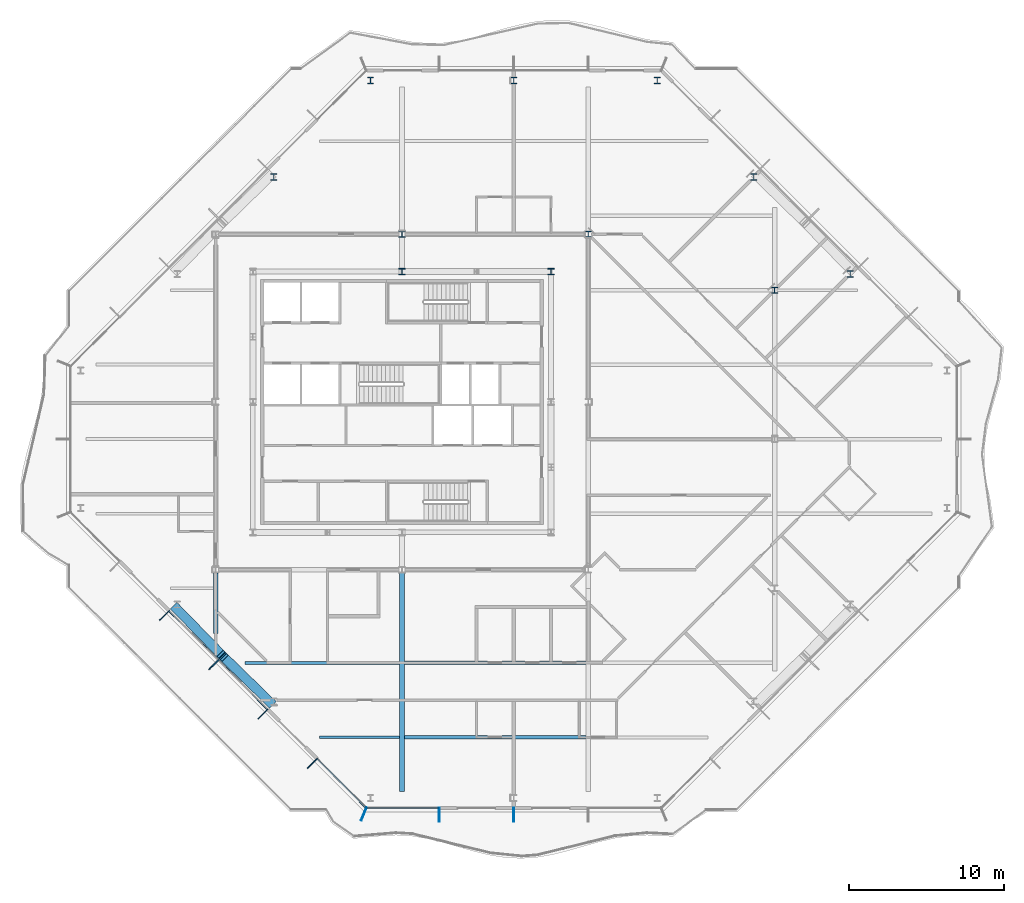
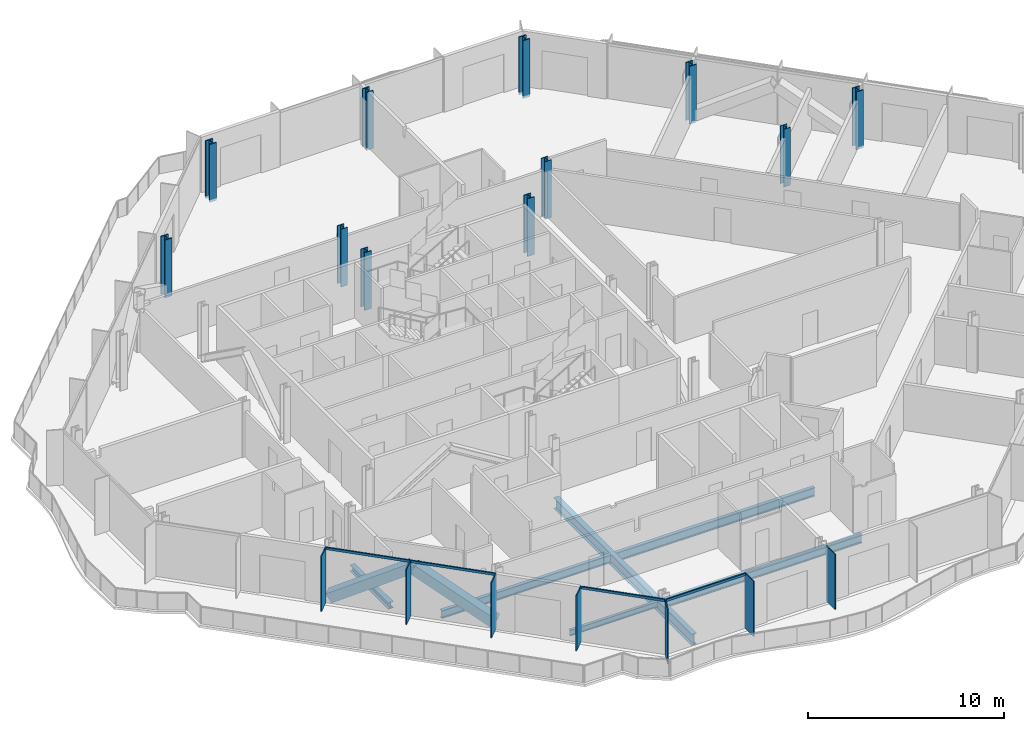
# One storey, part 2 of 17: 13 members, 11 columns, 6 beams, 2 elements without a shape of their own.
"""IFC4 building model written with IfcOpenShell, lengths in metres."""

import ifcopenshell
import ifcopenshell.guid

model = None  # the IFC model being written
_history = None  # IfcOwnerHistory: only IFC2X3 demands one
_inside = {}  # id of a spatial element -> (the spatial element, [elements in it])
_under = {}  # id of a project, library or spatial element -> (it, [spatial elements below it])
_declared = {}  # id of a project -> (the project, [libraries it declares])
_typed = {}  # id of a type object -> (the type object, [elements of that type])
_made_of = {}  # id of a material, layer set ... -> (it, [elements and type objects made of it])


def new_model(schema):
    """Start an empty IFC model of exactly this schema.

    Asked for "IFC4X3", IfcOpenShell would pick the latest addendum, in which some entities
    have other attributes; the version numbers below select the first issue.
    IFC2X3 requires an IfcOwnerHistory on every rooted entity: one is made here for all.
    """
    global model, _history
    if schema == "IFC4X3":
        model = ifcopenshell.file(schema_version=(4, 3, 0, 0))
    else:
        model = ifcopenshell.file(schema=schema)
    _inside.clear()
    _under.clear()
    _declared.clear()
    _typed.clear()
    _made_of.clear()
    _history = None
    if model.schema == "IFC2X3":
        org = make("IfcOrganization", Name="unknown")
        user = make(
            "IfcPersonAndOrganization",
            ThePerson=make("IfcPerson", FamilyName="unknown"),
            TheOrganization=org,
        )
        app = make(
            "IfcApplication",
            ApplicationDeveloper=org,
            Version="unknown",
            ApplicationFullName="unknown",
            ApplicationIdentifier="unknown",
        )
        _history = make(
            "IfcOwnerHistory",
            OwningUser=user,
            OwningApplication=app,
            ChangeAction="ADDED",
            CreationDate=0,
        )
    return model


def make(cls, **values):
    """One entity of the class cls with the attributes given. An attribute that is None is left unset."""
    return model.create_entity(
        cls, **{name: value for name, value in values.items() if value is not None}
    )


def rooted(cls, **values):
    """An entity with a GlobalId (a new one), such as an element, a storey or a relation."""
    return make(cls, GlobalId=ifcopenshell.guid.new(), OwnerHistory=_history, **values)


def si_unit(unit_type, name, prefix=None):
    """IfcSIUnit, for example si_unit("LENGTHUNIT", "METRE", prefix="MILLI")."""
    return make("IfcSIUnit", UnitType=unit_type, Prefix=prefix, Name=name)


def assignment(units):
    """IfcUnitAssignment: the units of a project."""
    return None if units is None else make("IfcUnitAssignment", Units=units)


def point(xyz):
    """IfcCartesianPoint."""
    return None if xyz is None else make("IfcCartesianPoint", Coordinates=xyz)


def direction(xyz):
    """IfcDirection."""
    return None if xyz is None else make("IfcDirection", DirectionRatios=xyz)


def frame(location, z_axis=None, x_axis=None):
    """IfcAxis2Placement3D, a coordinate frame: its origin and axes. An axis left out is left unset."""
    return make(
        "IfcAxis2Placement3D",
        Location=point(location),
        Axis=direction(z_axis),
        RefDirection=direction(x_axis),
    )


def frame_2d(location, x_axis=None):
    """IfcAxis2Placement2D, a coordinate frame in the plane: its origin and x axis."""
    return make(
        "IfcAxis2Placement2D", Location=point(location), RefDirection=direction(x_axis)
    )


def origin():
    """The frame at (0, 0, 0) with its axes left unset."""
    return frame((0.0, 0.0, 0.0))


def origin_2d():
    """The frame at (0, 0) in the plane with its x axis left unset."""
    return frame_2d((0.0, 0.0))


def place(relative_to, where):
    """IfcLocalPlacement: puts the frame where relative to a parent placement (None: the world)."""
    return make(
        "IfcLocalPlacement", PlacementRelTo=relative_to, RelativePlacement=where
    )


def context(
    kind, dimensions, precision=None, world=None, true_north=None, identifier=None
):
    """IfcGeometricRepresentationContext, for example the 3D "Model" context."""
    return make(
        "IfcGeometricRepresentationContext",
        ContextIdentifier=identifier,
        ContextType=kind,
        CoordinateSpaceDimension=dimensions,
        Precision=precision,
        WorldCoordinateSystem=world,
        TrueNorth=true_north,
    )


def subcontext(parent, identifier, kind, view, scale=None):
    """IfcGeometricRepresentationSubContext, for example "Body" below "Model"."""
    return make(
        "IfcGeometricRepresentationSubContext",
        ContextIdentifier=identifier,
        ContextType=kind,
        ParentContext=parent,
        TargetScale=scale,
        TargetView=view,
    )


def project(units=None, contexts=None):
    """IfcProject with its units and contexts."""
    return rooted(
        "IfcProject",
        Name="project",
        RepresentationContexts=contexts,
        UnitsInContext=assignment(units),
    )


def spatial(cls, under=None, at=None, **own):
    """A site, building, storey or space (cls), placed at a placement, below another one or the project."""
    s = rooted(cls, ObjectPlacement=at, **own)
    if under is not None:
        _under.setdefault(under.id(), (under, []))[1].append(s)
    return s


def profile(cls, at=None, kind="AREA", **sizes):
    """A parametric profile (cls). Its sizes go by their IFC names, for example OverallWidth=200.0."""
    return make(cls, ProfileType=kind, Position=at, **sizes)


def rectangle(**sizes):
    """IfcRectangleProfileDef."""
    return profile("IfcRectangleProfileDef", **sizes)


def hollow_rectangle(**sizes):
    """IfcRectangleHollowProfileDef."""
    return profile("IfcRectangleHollowProfileDef", **sizes)


def i_section(**sizes):
    """IfcIShapeProfileDef."""
    return profile("IfcIShapeProfileDef", **sizes)


def extrude(swept, where, along, depth):
    """IfcExtrudedAreaSolid: the profile swept, set in the frame where, extruded along a direction by depth."""
    return make(
        "IfcExtrudedAreaSolid",
        SweptArea=swept,
        Position=where,
        ExtrudedDirection=direction(along),
        Depth=depth,
    )


def shape(context_of_items, identifier, shape_type, items):
    """IfcShapeRepresentation: the items that make up one representation, for example the "Body"."""
    return make(
        "IfcShapeRepresentation",
        ContextOfItems=context_of_items,
        RepresentationIdentifier=identifier,
        RepresentationType=shape_type,
        Items=items,
    )


def material(Name=None, Category=None):
    """IfcMaterial."""
    return make("IfcMaterial", Name=Name, Category=Category)


def material_profile(
    of_material, cross_section, Name=None, Category=None, Priority=None
):
    """IfcMaterialProfile: a cross section and its material."""
    return make(
        "IfcMaterialProfile",
        Name=Name,
        Material=of_material,
        Profile=cross_section,
        Priority=Priority,
        Category=Category,
    )


def profile_set(profiles, Name=None, composite=None):
    """IfcMaterialProfileSet."""
    return make(
        "IfcMaterialProfileSet",
        Name=Name,
        MaterialProfiles=profiles,
        CompositeProfile=composite,
    )


def made_of(thing, what):
    """Note that an element or type object is made of a material, layer set ...; save() writes the relation."""
    if what is not None:
        _made_of.setdefault(what.id(), (what, []))[1].append(thing)
    return thing


def type_object(cls, material=None, **own):
    """A type object (cls), such as IfcWallType, which elements share."""
    return made_of(rooted(cls, **own), material)


def element(
    cls,
    number,
    at=None,
    inside=None,
    cuts=None,
    type_object=None,
    material=None,
    context=None,
    identifier="Body",
    shape_type=None,
    held_by="IfcProductDefinitionShape",
    body=None,
    shapes=None,
    **own,
):
    """One element of the class cls, such as IfcWall. Its Tag is "e" and its number.

    at: its placement. inside: the storey or other place that contains it. cuts: it is an
    opening in that element (IfcRelVoidsElement). A single representation is given by context,
    identifier, shape_type and body (its items); several are given by shapes. held_by: the class
    of the entity that holds the representations. save() writes the other relations.
    """
    e = rooted(cls, Tag="e%d" % number, ObjectPlacement=at, **own)
    if body is not None:
        shapes = [shape(context, identifier, shape_type, body)]
    if shapes is not None:
        e.Representation = make(held_by, Representations=shapes)
    if inside is not None:
        _inside.setdefault(inside.id(), (inside, []))[1].append(e)
    if cuts is not None:
        rooted(
            "IfcRelVoidsElement", RelatingBuildingElement=cuts, RelatedOpeningElement=e
        )
    if type_object is not None:
        _typed.setdefault(type_object.id(), (type_object, []))[1].append(e)
    return made_of(e, material)


def aggregate(whole, parts):
    """IfcRelAggregates: a whole, such as a stair, and the parts it consists of."""
    return rooted("IfcRelAggregates", RelatingObject=whole, RelatedObjects=parts)


def save(model, path):
    """Write the relations noted so far, then the file.

    IfcRelAggregates (storeys below a building ...), IfcRelContainedInSpatialStructure (elements
    in a storey), IfcRelDefinesByType, IfcRelAssociatesMaterial and IfcRelDeclares: one each for
    every whole, place, type object, material and project.
    """
    for whole, parts in _under.values():
        aggregate(whole, parts)
    for where, things in _inside.values():
        rooted(
            "IfcRelContainedInSpatialStructure",
            RelatedElements=things,
            RelatingStructure=where,
        )
    for kind, things in _typed.values():
        rooted("IfcRelDefinesByType", RelatedObjects=things, RelatingType=kind)
    for what, things in _made_of.values():
        rooted("IfcRelAssociatesMaterial", RelatedObjects=things, RelatingMaterial=what)
    for by, libraries in _declared.values():
        rooted("IfcRelDeclares", RelatingContext=by, RelatedDefinitions=libraries)
    model.write(path)


model = new_model("IFC4")

# Units and contexts
model_context = context("Model", 3, precision=1e-05, world=origin(), true_north=direction((0.0, 1.0)))
body_context = subcontext(model_context, "Body", "Model", "MODEL_VIEW")
ifc_project = project(units=[si_unit("LENGTHUNIT", "METRE"), si_unit("AREAUNIT", "SQUARE_METRE"), si_unit("VOLUMEUNIT", "CUBIC_METRE"), si_unit("PLANEANGLEUNIT", "RADIAN"), si_unit("MASSUNIT", "GRAM", prefix="KILO")], contexts=[model_context])

# Site, building, storey
site_placement = place(None, origin())
site = spatial("IfcSite", under=ifc_project, at=site_placement, CompositionType="ELEMENT")
building_placement = place(site_placement, origin())
building = spatial("IfcBuilding", under=site, at=building_placement, Name="Cairn Pilgrim Tower", CompositionType="ELEMENT")
storey_placement = place(building_placement, frame((0.0, 0.0, 210.60009765625)))
storey = spatial("IfcBuildingStorey", under=building, at=storey_placement, Name="L53", CompositionType="ELEMENT", Elevation=210.60009765625)

# Columns
ifc_material_1 = material(Name="Structural steel S355J2", Category="steel")
ifc_material_profile_1 = material_profile(ifc_material_1, i_section(OverallWidth=0.39892578125, OverallDepth=0.39306640625, WebThickness=0.022705078125, FlangeThickness=0.03662109375, FilletRadius=0.014892578125, at=origin_2d()), Name="HD 400x287")
ifc_profile_set_1 = profile_set([ifc_material_profile_1], Name="Structural steel S355J2")
column_type_1 = type_object("IfcColumnType", Name="HD 400x287", PredefinedType="COLUMN", material=ifc_profile_set_1)
for number, where, z_axis, x_axis, name in (
    (1, (7.199951171875, 13.199951171875, -0.150146484375), (0.0, 0.0, 1.0), (1.0, 0.0, 0.0), "IC-7"),
    (2, (19.199951171875, 13.199951171875, -0.150146484375), (0.0, 0.0, 1.0), (1.0, 0.0, 0.0), "IC-8"),
    (3, (31.199951171875, 9.60009765625, -0.150146484375), (0.0, 0.0, 1.0), (1.0, 0.0, 0.0), "WC-WE+2"),
):
    element("IfcColumn", number, at=place(storey_placement, frame(where, z_axis=z_axis, x_axis=x_axis)), inside=storey, type_object=column_type_1, Name=name, PredefinedType="COLUMN", context=body_context, shape_type="SweptSolid", body=[
        extrude(i_section(OverallWidth=0.39892578125, OverallDepth=0.39306640625, WebThickness=0.022705078125, FlangeThickness=0.03662109375, FilletRadius=0.014892578125, at=origin_2d()), origin(), (0.0, 0.0, 1.0), 3.60009765625),
    ])
ifc_material_2 = material(Name="Structural steel S460M", Category="steel")
ifc_material_profile_2 = material_profile(ifc_material_2, i_section(OverallWidth=0.404052734375, OverallDepth=0.406982421875, WebThickness=0.027099609375, FlangeThickness=0.043701171875, FilletRadius=0.014892578125, at=origin_2d()), Name="HD 400x347")
ifc_profile_set_2 = profile_set([ifc_material_profile_2], Name="Structural steel S460M")
column_type_2 = type_object("IfcColumnType", Name="HD 400x347", PredefinedType="COLUMN", material=ifc_profile_set_2)
for number, where, z_axis, x_axis, name in (
    (4, (7.199951171875, 10.800048828125, -0.150146484375), (0.0, 0.0, 1.0), (1.0, 0.0, 0.0), "KC-7"),
    (5, (16.800048828125, 10.800048828125, -0.150146484375), (0.0, 0.0, 1.0), (1.0, 0.0, 0.0), "KC-8"),
):
    element("IfcColumn", number, at=place(storey_placement, frame(where, z_axis=z_axis, x_axis=x_axis)), inside=storey, type_object=column_type_2, Name=name, PredefinedType="COLUMN", context=body_context, shape_type="SweptSolid", body=[
        extrude(i_section(OverallWidth=0.404052734375, OverallDepth=0.406982421875, WebThickness=0.027099609375, FlangeThickness=0.043701171875, FilletRadius=0.014892578125, at=origin_2d()), origin(), (0.0, 0.0, 1.0), 3.60009765625),
    ])
ifc_material_profile_3 = material_profile(ifc_material_2, i_section(OverallWidth=0.416015625, OverallDepth=0.446044921875, WebThickness=0.0390625, FlangeThickness=0.062744140625, FilletRadius=0.014892578125, at=origin_2d()), Name="HD 400x509")
ifc_profile_set_3 = profile_set([ifc_material_profile_3], Name="Structural steel S460M")
column_type_3 = type_object("IfcColumnType", Name="HD 400x509", PredefinedType="COLUMN", material=ifc_profile_set_3)
for number, where, z_axis, x_axis, name in (
    (6, (36.07568359375, 10.651611328125, -0.150146484375), (0.0, 0.0, 1.0), (1.0, 0.0, 0.0), "PC3-NE2"),
    (7, (29.8515625, 16.875732421875, -0.150146484375), (0.0, 0.0, 1.0), (1.0, 0.0, 0.0), "PC3-NE3"),
    (8, (23.627197265625, 23.10009765625, -0.150146484375), (0.0, 0.0, 1.0), (1.0, 0.0, 0.0), "PC3-N1"),
    (9, (14.39990234375, 23.10009765625, -0.150146484375), (0.0, 0.0, 1.0), (1.0, 0.0, 0.0), "PC3-N2"),
    (10, (5.1728515625, 23.10009765625, -0.150146484375), (0.0, 0.0, 1.0), (1.0, 0.0, 0.0), "PC3-NW1"),
    (11, (-1.051513671875, 16.875732421875, -0.150146484375), (0.0, 0.0, 1.0), (1.0, 0.0, 0.0), "PC3-NW2"),
):
    element("IfcColumn", number, at=place(storey_placement, frame(where, z_axis=z_axis, x_axis=x_axis)), inside=storey, type_object=column_type_3, Name=name, PredefinedType="COLUMN", context=body_context, shape_type="SweptSolid", body=[
        extrude(i_section(OverallWidth=0.416015625, OverallDepth=0.446044921875, WebThickness=0.0390625, FlangeThickness=0.062744140625, FilletRadius=0.014892578125, at=origin_2d()), origin(), (0.0, 0.0, 1.0), 3.60009765625),
    ])

# Members
ifc_material_profile_4 = material_profile(ifc_material_2, hollow_rectangle(XDim=0.60009765625, YDim=0.60009765625, WallThickness=0.034912109375, at=origin_2d()), Name="BOX 600x600x35")
ifc_profile_set_4 = profile_set([ifc_material_profile_4], Name="Structural steel S460M")
member_type_1 = type_object("IfcMemberType", Name="BOX 600x600x35 BRACE", PredefinedType="BRACE", material=ifc_profile_set_4)
member_1_placement = place(storey_placement, frame((-7.4013671875, -10.823974609375, 0.14990234375), z_axis=(0.59476326853, -0.609993709431, 0.523607036681), x_axis=(0.715988756584, 0.698111810848, 0.0)))
element("IfcMember", 12, at=member_1_placement, inside=storey, type_object=member_type_1, Name="XB-SW2-SW3-1", PredefinedType="BRACE", context=body_context, shape_type="SweptSolid", body=[
    extrude(hollow_rectangle(XDim=0.60009765625, YDim=0.60009765625, WallThickness=0.034912109375, at=origin_2d()), origin(), (0.0, 0.0, 1.0), 5.033447265625),
])
member_2_placement = place(storey_placement, frame((-1.22412109375, -17.00146484375, 0.14990234375), z_axis=(-0.609963251675, 0.594780866166, 0.523622528973), x_axis=(-0.698140268834, -0.71596100804, 0.0)))
element("IfcMember", 13, at=member_2_placement, inside=storey, type_object=member_type_1, Name="XB-SW2-SW3-2", PredefinedType="BRACE", context=body_context, shape_type="SweptSolid", body=[
    extrude(hollow_rectangle(XDim=0.60009765625, YDim=0.60009765625, WallThickness=0.034912109375, at=origin_2d()), origin(), (0.0, 0.0, 1.0), 5.033203125),
])

# Curtain wall, members
ifc_material_3 = material(Name="Aluminium alloy 6063-T6 bronze anodised with Bronze tinted laminated low-E glass 8+16+8.8", Category="aluminium")
curtain_wall_type_1 = type_object("IfcCurtainWallType", Name="TOWER STICK CURTAIN WALL NS", PredefinedType="NOTDEFINED", material=ifc_material_3)
curtain_wall_1_placement = place(storey_placement, origin())
curtain_wall_1 = element("IfcCurtainWall", 14, at=curtain_wall_1_placement, inside=storey, type_object=curtain_wall_type_1, Name="Tower Stick Curtain Wall Ns S", PredefinedType="NOTDEFINED")
ifc_material_4 = material(Name="Aluminium alloy 6063-T6 bronze anodised", Category="aluminium")
ifc_material_profile_5 = material_profile(ifc_material_4, rectangle(XDim=0.89990234375, YDim=0.06005859375, at=origin_2d()), Name="FIN MULLION 60x900 BRONZE")
ifc_profile_set_5 = profile_set([ifc_material_profile_5], Name="Aluminium alloy 6063-T6 bronze anodised")
member_type_2 = type_object("IfcMemberType", Name="FIN MULLION 60x900 BRONZE", PredefinedType="MULLION", material=ifc_profile_set_5)
member_3_placement = place(storey_placement, frame((4.742919921875, -24.137939453125, 0.0), z_axis=(0.0, 0.0, 1.0), x_axis=(-0.382683432365, -0.923879532511, 0.0)))
member_3 = element("IfcMember", 15, at=member_3_placement, type_object=member_type_2, Name="Fin mullion S1", PredefinedType="MULLION", context=body_context, shape_type="SweptSolid", body=[
    extrude(rectangle(XDim=0.89990234375, YDim=0.06005859375, at=origin_2d()), origin(), (0.0, 0.0, 1.0), 3.449951171875),
])
member_4_placement = place(storey_placement, frame((9.60009765625, -24.169921875, 0.0), z_axis=(0.0, 0.0, 1.0), x_axis=(0.0, -1.0, 0.0)))
member_4 = element("IfcMember", 16, at=member_4_placement, type_object=member_type_2, Name="Fin mullion S2", PredefinedType="MULLION", context=body_context, shape_type="SweptSolid", body=[
    extrude(rectangle(XDim=0.89990234375, YDim=0.06005859375, at=origin_2d()), origin(), (0.0, 0.0, 1.0), 3.449951171875),
])
member_5_placement = place(storey_placement, frame((14.39990234375, -24.169921875, 0.0), z_axis=(0.0, 0.0, 1.0), x_axis=(0.0, -1.0, 0.0)))
member_5 = element("IfcMember", 17, at=member_5_placement, type_object=member_type_2, Name="Fin mullion S3", PredefinedType="MULLION", context=body_context, shape_type="SweptSolid", body=[
    extrude(rectangle(XDim=0.89990234375, YDim=0.06005859375, at=origin_2d()), origin(), (0.0, 0.0, 1.0), 3.449951171875),
])

curtain_wall_type_2 = type_object("IfcCurtainWallType", Name="CHAMFER CORNER CURTAIN WALL", PredefinedType="NOTDEFINED", material=ifc_material_3)
curtain_wall_2_placement = place(storey_placement, origin())
curtain_wall_2 = element("IfcCurtainWall", 18, at=curtain_wall_2_placement, inside=storey, type_object=curtain_wall_type_2, Name="Chamfer Corner Curtain Wall SW", PredefinedType="NOTDEFINED")
member_6_placement = place(storey_placement, frame((-8.095703125, -11.3447265625, 0.0), z_axis=(0.0, 0.0, 1.0), x_axis=(-0.707106781187, -0.707106781187, 0.0)))
member_6 = element("IfcMember", 19, at=member_6_placement, type_object=member_type_2, Name="Fin mullion SW3", PredefinedType="MULLION", context=body_context, shape_type="SweptSolid", body=[
    extrude(rectangle(XDim=0.89990234375, YDim=0.06005859375, at=origin_2d()), origin(), (0.0, 0.0, 1.0), 3.449951171875),
])
member_7_placement = place(storey_placement, frame((-4.920166015625, -14.520263671875, 0.0), z_axis=(0.0, 0.0, 1.0), x_axis=(-0.707106781187, -0.707106781187, 0.0)))
member_7 = element("IfcMember", 20, at=member_7_placement, type_object=member_type_2, Name="Fin mullion SW4", PredefinedType="MULLION", context=body_context, shape_type="SweptSolid", body=[
    extrude(rectangle(XDim=0.89990234375, YDim=0.06005859375, at=origin_2d()), origin(), (0.0, 0.0, 1.0), 3.449951171875),
])
member_8_placement = place(storey_placement, frame((-1.74462890625, -17.69580078125, 0.0), z_axis=(0.0, 0.0, 1.0), x_axis=(-0.707106781187, -0.707106781187, 0.0)))
member_8 = element("IfcMember", 21, at=member_8_placement, type_object=member_type_2, Name="Fin mullion SW5", PredefinedType="MULLION", context=body_context, shape_type="SweptSolid", body=[
    extrude(rectangle(XDim=0.89990234375, YDim=0.06005859375, at=origin_2d()), origin(), (0.0, 0.0, 1.0), 3.449951171875),
])
member_9_placement = place(storey_placement, frame((1.430908203125, -20.871337890625, 0.0), z_axis=(0.0, 0.0, 1.0), x_axis=(-0.707106781187, -0.707106781187, 0.0)))
member_9 = element("IfcMember", 22, at=member_9_placement, type_object=member_type_2, Name="Fin mullion SW6", PredefinedType="MULLION", context=body_context, shape_type="SweptSolid", body=[
    extrude(rectangle(XDim=0.89990234375, YDim=0.06005859375, at=origin_2d()), origin(), (0.0, 0.0, 1.0), 3.449951171875),
])

# Beams
ifc_material_profile_6 = material_profile(ifc_material_1, i_section(OverallWidth=0.300048828125, OverallDepth=0.39990234375, WebThickness=0.013427734375, FlangeThickness=0.02392578125, FilletRadius=0.027099609375, at=origin_2d()), Name="HEB 400")
ifc_profile_set_6 = profile_set([ifc_material_profile_6], Name="Structural steel S355J2")
beam_type_1 = type_object("IfcBeamType", Name="HEB 400 GIRDER", PredefinedType="BEAM", material=ifc_profile_set_6)
beam_1_placement = place(storey_placement, frame((-4.800048828125, -12.520751953125, -0.35009765625), z_axis=(0.0, 1.0, 0.0), x_axis=(-1.0, 0.0, 0.0)))
element("IfcBeam", 23, at=beam_1_placement, inside=storey, type_object=beam_type_1, Name="PG2-1", PredefinedType="BEAM", context=body_context, shape_type="SweptSolid", body=[
    extrude(i_section(OverallWidth=0.300048828125, OverallDepth=0.39990234375, WebThickness=0.013427734375, FlangeThickness=0.02392578125, FilletRadius=0.027099609375, at=origin_2d()), origin(), (0.0, 0.0, 1.0), 3.921142578125),
])
ifc_material_profile_7 = material_profile(ifc_material_1, i_section(OverallWidth=0.300048828125, OverallDepth=0.699951171875, WebThickness=0.01708984375, FlangeThickness=0.031982421875, FilletRadius=0.027099609375, at=origin_2d()), Name="HEB 700")
ifc_profile_set_7 = profile_set([ifc_material_profile_7], Name="Structural steel S355J2")
beam_type_2 = type_object("IfcBeamType", Name="HEB 700 GIRDER", PredefinedType="BEAM", material=ifc_profile_set_7)
beam_2_placement = place(storey_placement, frame((7.199951171875, -22.679931640625, -0.5), z_axis=(0.0, 1.0, 0.0), x_axis=(-1.0, 0.0, 0.0)))
element("IfcBeam", 24, at=beam_2_placement, inside=storey, type_object=beam_type_2, Name="PG3-1", PredefinedType="BEAM", context=body_context, shape_type="SweptSolid", body=[
    extrude(i_section(OverallWidth=0.300048828125, OverallDepth=0.699951171875, WebThickness=0.01708984375, FlangeThickness=0.031982421875, FilletRadius=0.027099609375, at=origin_2d()), origin(), (0.0, 0.0, 1.0), 14.080322265625),
])
ifc_material_profile_8 = material_profile(ifc_material_1, i_section(OverallWidth=0.169921875, OverallDepth=0.360107421875, WebThickness=0.008056640625, FlangeThickness=0.0126953125, FilletRadius=0.01806640625, at=origin_2d()), Name="IPE 360")
ifc_profile_set_8 = profile_set([ifc_material_profile_8], Name="Structural steel S355J2")
beam_type_3 = type_object("IfcBeamType", Name="IPE 360 SECONDARY BEAM", PredefinedType="JOIST", material=ifc_profile_set_8)
beam_3_placement = place(storey_placement, frame((1.879150390625, -19.199951171875, -0.330078125), z_axis=(1.0, 0.0, 0.0), x_axis=(0.0, 1.0, 0.0)))
element("IfcBeam", 25, at=beam_3_placement, inside=storey, type_object=beam_type_3, Name="SB1-1", PredefinedType="JOIST", context=body_context, shape_type="SweptSolid", body=[
    extrude(i_section(OverallWidth=0.169921875, OverallDepth=0.360107421875, WebThickness=0.008056640625, FlangeThickness=0.0126953125, FilletRadius=0.01806640625, at=origin_2d()), origin(), (0.0, 0.0, 1.0), 5.1708984375),
])
ifc_material_profile_9 = material_profile(ifc_material_1, i_section(OverallWidth=0.199951171875, OverallDepth=0.5, WebThickness=0.01025390625, FlangeThickness=0.01611328125, FilletRadius=0.02099609375, at=origin_2d()), Name="IPE 500")
ifc_profile_set_9 = profile_set([ifc_material_profile_9], Name="Structural steel S355J2")
beam_type_4 = type_object("IfcBeamType", Name="IPE 500 SECONDARY BEAM", PredefinedType="JOIST", material=ifc_profile_set_9)
beam_4_placement = place(storey_placement, frame((-2.9208984375, -14.39990234375, -0.400146484375), z_axis=(1.0, 0.0, 0.0), x_axis=(0.0, 1.0, 0.0)))
element("IfcBeam", 26, at=beam_4_placement, inside=storey, type_object=beam_type_4, Name="SB2-1", PredefinedType="JOIST", context=body_context, shape_type="SweptSolid", body=[
    extrude(i_section(OverallWidth=0.199951171875, OverallDepth=0.5, WebThickness=0.01025390625, FlangeThickness=0.01611328125, FilletRadius=0.02099609375, at=origin_2d()), origin(), (0.0, 0.0, 1.0), 9.970947265625),
])
ifc_material_profile_10 = material_profile(ifc_material_1, i_section(OverallWidth=0.2099609375, OverallDepth=0.550048828125, WebThickness=0.010986328125, FlangeThickness=0.01708984375, FilletRadius=0.02392578125, at=origin_2d()), Name="IPE 550")
ifc_profile_set_10 = profile_set([ifc_material_profile_10], Name="Structural steel S355J2")
beam_type_5 = type_object("IfcBeamType", Name="IPE 550 SECONDARY BEAM", PredefinedType="JOIST", material=ifc_profile_set_10)
for number, where, z_axis, x_axis, name in (
    (27, (7.35009765625, -19.199951171875, -0.425048828125), (1.0, 0.0, 0.0), (0.0, 1.0, 0.0), "SB1-2"),
    (28, (7.35009765625, -14.39990234375, -0.425048828125), (1.0, 0.0, 0.0), (0.0, 1.0, 0.0), "SB2-2"),
):
    element("IfcBeam", number, at=place(storey_placement, frame(where, z_axis=z_axis, x_axis=x_axis)), inside=storey, type_object=beam_type_5, Name=name, PredefinedType="JOIST", context=body_context, shape_type="SweptSolid", body=[
        extrude(i_section(OverallWidth=0.2099609375, OverallDepth=0.550048828125, WebThickness=0.010986328125, FlangeThickness=0.01708984375, FilletRadius=0.02392578125, at=origin_2d()), origin(), (0.0, 0.0, 1.0), 11.699951171875),
    ])

# Member
ifc_material_profile_11 = material_profile(ifc_material_4, rectangle(XDim=0.080078125, YDim=0.14990234375, at=origin_2d()), Name="TRANSOM 80x150 BRONZE")
ifc_profile_set_11 = profile_set([ifc_material_profile_11], Name="Aluminium alloy 6063-T6 bronze anodised")
member_type_3 = type_object("IfcMemberType", Name="TRANSOM 80x150 BRONZE", PredefinedType="USERDEFINED", material=ifc_profile_set_11)
member_10_placement = place(storey_placement, frame((4.943603515625, -23.75, 3.375), z_axis=(1.0, 0.0, 0.0), x_axis=(0.0, 1.0, 0.0)))
member_10 = element("IfcMember", 29, at=member_10_placement, type_object=member_type_3, Name="Transom S1", ObjectType="TRANSOM", PredefinedType="USERDEFINED", context=body_context, shape_type="SweptSolid", body=[
    extrude(rectangle(XDim=0.080078125, YDim=0.14990234375, at=origin_2d()), origin(), (0.0, 0.0, 1.0), 4.62646484375),
])

aggregate(curtain_wall_1, [member_3, member_4, member_5, member_10])

member_11_placement = place(storey_placement, frame((-7.777587890625, -11.06884765625, 3.375), z_axis=(0.707106781187, -0.707106781187, 0.0), x_axis=(0.707106781187, 0.707106781187, 0.0)))
member_11 = element("IfcMember", 30, at=member_11_placement, type_object=member_type_3, Name="Transom SW3", ObjectType="TRANSOM", PredefinedType="USERDEFINED", context=body_context, shape_type="SweptSolid", body=[
    extrude(rectangle(XDim=0.080078125, YDim=0.14990234375, at=origin_2d()), origin(), (0.0, 0.0, 1.0), 4.430908203125),
])

member_12_placement = place(storey_placement, frame((-4.60205078125, -14.244384765625, 3.375), z_axis=(0.707106781187, -0.707106781187, 0.0), x_axis=(0.707106781187, 0.707106781187, 0.0)))
member_12 = element("IfcMember", 31, at=member_12_placement, type_object=member_type_3, Name="Transom SW4", ObjectType="TRANSOM", PredefinedType="USERDEFINED", context=body_context, shape_type="SweptSolid", body=[
    extrude(rectangle(XDim=0.080078125, YDim=0.14990234375, at=origin_2d()), origin(), (0.0, 0.0, 1.0), 4.43115234375),
])

member_13_placement = place(storey_placement, frame((1.749267578125, -20.595703125, 3.375), z_axis=(0.707106781187, -0.707106781187, 0.0), x_axis=(0.707106781187, 0.707106781187, 0.0)))
member_13 = element("IfcMember", 32, at=member_13_placement, type_object=member_type_3, Name="Transom SW6", ObjectType="TRANSOM", PredefinedType="USERDEFINED", context=body_context, shape_type="SweptSolid", body=[
    extrude(rectangle(XDim=0.080078125, YDim=0.14990234375, at=origin_2d()), origin(), (0.0, 0.0, 1.0), 4.4208984375),
])

aggregate(curtain_wall_2, [member_6, member_7, member_8, member_9, member_11, member_12, member_13])

save(model, "model.ifc")
